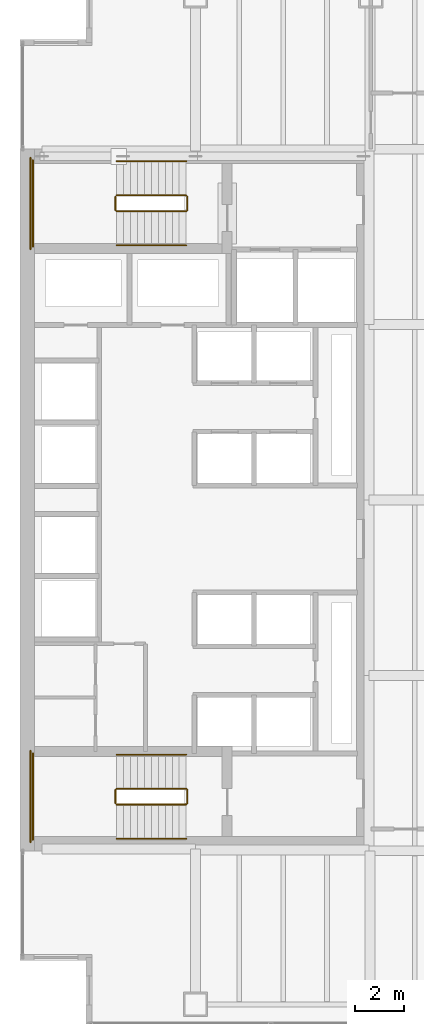
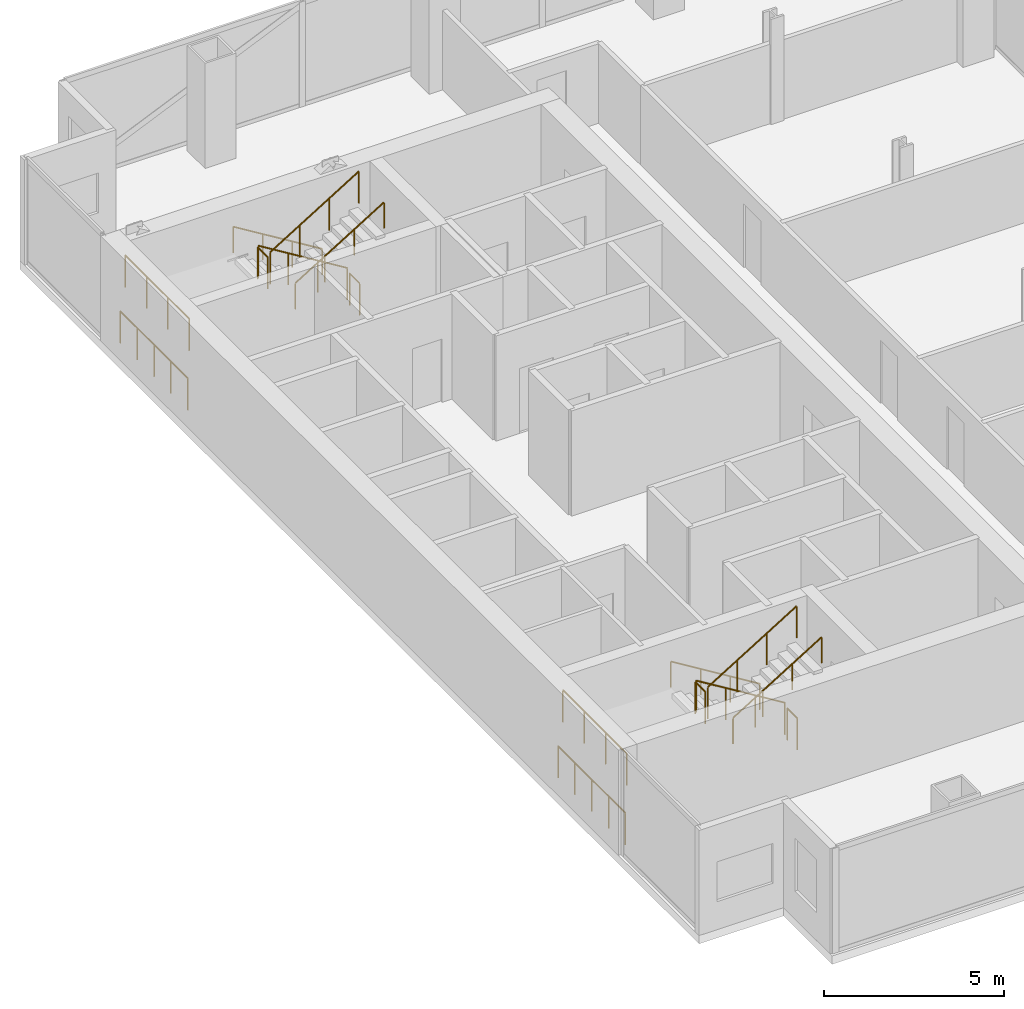
# One storey, part 23 of 23: 16 railings.
"""IFC4 building model written with IfcOpenShell, lengths in metres."""

from ifc_helpers import new_model, si_unit, direction, frame, origin, origin_2d, place, context, subcontext, project, spatial, circle, extrude, material, type_object, element, save


model = new_model("IFC4")

# Units and contexts
model_context = context("Model", 3, precision=1e-05, world=origin(), true_north=direction((0.0, 1.0)))
body_context = subcontext(model_context, "Body", "Model", "MODEL_VIEW")
ifc_project = project(units=[si_unit("LENGTHUNIT", "METRE"), si_unit("AREAUNIT", "SQUARE_METRE"), si_unit("VOLUMEUNIT", "CUBIC_METRE"), si_unit("PLANEANGLEUNIT", "RADIAN"), si_unit("MASSUNIT", "GRAM", prefix="KILO")], contexts=[model_context])

# Site, building, storey
site_placement = place(None, origin())
site = spatial("IfcSite", under=ifc_project, at=site_placement, CompositionType="ELEMENT")
building_placement = place(site_placement, origin())
building = spatial("IfcBuilding", under=site, at=building_placement, Name="Cobrela Telecom Tower", CompositionType="ELEMENT")
storey_placement = place(building_placement, frame((0.0, 0.0, 65.800048828125)))
storey = spatial("IfcBuildingStorey", under=building, at=storey_placement, Name="L16", CompositionType="ELEMENT", Elevation=65.800048828125)

# Railings
ifc_material = material(Name="Steel ASTM A36", Category="steel")
railing_type_1 = type_object("IfcRailingType", Name="RAIL-GUARD-1100", PredefinedType="GUARDRAIL", material=ifc_material)
railing_1_placement = place(storey_placement, frame((6.820068359375, 34.10009765625, 0.175048828125)))
element("IfcRailing", 1, at=railing_1_placement, inside=storey, type_object=railing_type_1, Name="L16 ST1 stair guard 1", PredefinedType="GUARDRAIL", context=body_context, shape_type="SweptSolid", body=[
    extrude(circle(Radius=0.02392578125, at=origin_2d()), frame((0.0, 0.0, 1.076171875), z_axis=(-0.852179220489, 0.0, 0.52325001306), x_axis=(0.0, -1.0, 0.0)), (0.0, 0.0, 1.0), 3.344482421875),
    extrude(circle(Radius=0.02099609375, at=origin_2d()), origin(), (0.0, 0.0, 1.0), 1.052001953125),
    extrude(circle(Radius=0.02099609375, at=origin_2d()), frame((-0.949951171875, 0.0, 0.583251953125)), (0.0, 0.0, 1.0), 1.052001953125),
    extrude(circle(Radius=0.02099609375, at=origin_2d()), frame((-1.900146484375, 0.0, 1.166748046875)), (0.0, 0.0, 1.0), 1.052001953125),
    extrude(circle(Radius=0.02099609375, at=origin_2d()), frame((-2.85009765625, 0.0, 1.75)), (0.0, 0.0, 1.0), 1.052001953125),
])
railing_2_placement = place(storey_placement, frame((3.919921875, 34.050048828125, 1.925048828125)))
element("IfcRailing", 2, at=railing_2_placement, inside=storey, type_object=railing_type_1, Name="L16 ST1 stair guard 2", PredefinedType="GUARDRAIL", context=body_context, shape_type="SweptSolid", body=[
    extrude(circle(Radius=0.02392578125, at=origin_2d()), frame((0.0, 0.0, 1.076171875), z_axis=(0.0, -1.0, 0.0), x_axis=(1.0, 0.0, 0.0)), (0.0, 0.0, 1.0), 0.550048828125),
    extrude(circle(Radius=0.02099609375, at=origin_2d()), origin(), (0.0, 0.0, 1.0), 1.052001953125),
    extrude(circle(Radius=0.02099609375, at=origin_2d()), frame((0.0, -0.550048828125, 0.0)), (0.0, 0.0, 1.0), 1.052001953125),
])
railing_3_placement = place(storey_placement, frame((0.530029296875, 35.550048828125, 1.925048828125)))
element("IfcRailing", 3, at=railing_3_placement, inside=storey, type_object=railing_type_1, Name="L16 ST1 stair guard 3", PredefinedType="GUARDRAIL", context=body_context, shape_type="SweptSolid", body=[
    extrude(circle(Radius=0.02392578125, at=origin_2d()), frame((0.0, 0.0, 1.076171875), z_axis=(0.0, -1.0, 0.0), x_axis=(1.0, 0.0, 0.0)), (0.0, 0.0, 1.0), 3.550048828125),
    extrude(circle(Radius=0.02099609375, at=origin_2d()), origin(), (0.0, 0.0, 1.0), 1.052001953125),
    extrude(circle(Radius=0.02099609375, at=origin_2d()), frame((0.0, -1.183349609375, 0.0)), (0.0, 0.0, 1.0), 1.052001953125),
    extrude(circle(Radius=0.02099609375, at=origin_2d()), frame((0.0, -2.36669921875, 0.0)), (0.0, 0.0, 1.0), 1.052001953125),
    extrude(circle(Radius=0.02099609375, at=origin_2d()), frame((0.0, -3.550048828125, 0.0)), (0.0, 0.0, 1.0), 1.052001953125),
])
railing_4_placement = place(storey_placement, frame((3.969970703125, 33.449951171875, 2.099853515625)))
element("IfcRailing", 4, at=railing_4_placement, inside=storey, type_object=railing_type_1, Name="L16 ST1 stair guard 4", PredefinedType="GUARDRAIL", context=body_context, shape_type="SweptSolid", body=[
    extrude(circle(Radius=0.02392578125, at=origin_2d()), frame((0.0, 0.0, 1.076171875), z_axis=(0.852179220489, 0.0, 0.52325001306), x_axis=(0.0, 1.0, 0.0)), (0.0, 0.0, 1.0), 3.344482421875),
    extrude(circle(Radius=0.02099609375, at=origin_2d()), origin(), (0.0, 0.0, 1.0), 1.052001953125),
    extrude(circle(Radius=0.02099609375, at=origin_2d()), frame((0.949951171875, 0.0, 0.583251953125)), (0.0, 0.0, 1.0), 1.052001953125),
    extrude(circle(Radius=0.02099609375, at=origin_2d()), frame((1.900146484375, 0.0, 1.166748046875)), (0.0, 0.0, 1.0), 1.052001953125),
    extrude(circle(Radius=0.02099609375, at=origin_2d()), frame((2.85009765625, 0.0, 1.75)), (0.0, 0.0, 1.0), 1.052001953125),
])
railing_5_placement = place(storey_placement, frame((6.8701171875, 34.050048828125, 0.0)))
element("IfcRailing", 5, at=railing_5_placement, inside=storey, type_object=railing_type_1, Name="L16 ST1 stair guard 5", PredefinedType="GUARDRAIL", context=body_context, shape_type="SweptSolid", body=[
    extrude(circle(Radius=0.02392578125, at=origin_2d()), frame((0.0, 0.0, 1.076171875), z_axis=(0.0, -1.0, 0.0), x_axis=(1.0, 0.0, 0.0)), (0.0, 0.0, 1.0), 0.550048828125),
    extrude(circle(Radius=0.02099609375, at=origin_2d()), origin(), (0.0, 0.0, 1.0), 1.052001953125),
    extrude(circle(Radius=0.02099609375, at=origin_2d()), frame((0.0, -0.550048828125, 0.0)), (0.0, 0.0, 1.0), 1.052001953125),
])
railing_6_placement = place(storey_placement, frame((0.429931640625, 35.64990234375, 0.0)))
element("IfcRailing", 6, at=railing_6_placement, inside=storey, type_object=railing_type_1, Name="L16 ST1 stair guard 6", PredefinedType="GUARDRAIL", context=body_context, shape_type="SweptSolid", body=[
    extrude(circle(Radius=0.02392578125, at=origin_2d()), frame((0.0, 0.0, 1.076171875), z_axis=(0.0, -1.0, 0.0), x_axis=(1.0, 0.0, 0.0)), (0.0, 0.0, 1.0), 3.75),
    extrude(circle(Radius=0.02099609375, at=origin_2d()), origin(), (0.0, 0.0, 1.0), 1.052001953125),
    extrude(circle(Radius=0.02099609375, at=origin_2d()), frame((0.0, -0.9375, 0.0)), (0.0, 0.0, 1.0), 1.052001953125),
    extrude(circle(Radius=0.02099609375, at=origin_2d()), frame((0.0, -1.875, 0.0)), (0.0, 0.0, 1.0), 1.052001953125),
    extrude(circle(Radius=0.02099609375, at=origin_2d()), frame((0.0, -2.8125, 0.0)), (0.0, 0.0, 1.0), 1.052001953125),
    extrude(circle(Radius=0.02099609375, at=origin_2d()), frame((0.0, -3.75, 0.0)), (0.0, 0.0, 1.0), 1.052001953125),
])
railing_7_placement = place(storey_placement, frame((6.820068359375, 9.75, 0.175048828125)))
element("IfcRailing", 7, at=railing_7_placement, inside=storey, type_object=railing_type_1, Name="L16 ST2 stair guard 1", PredefinedType="GUARDRAIL", context=body_context, shape_type="SweptSolid", body=[
    extrude(circle(Radius=0.02392578125, at=origin_2d()), frame((0.0, 0.0, 1.076171875), z_axis=(-0.852179220489, 0.0, 0.52325001306), x_axis=(0.0, -1.0, 0.0)), (0.0, 0.0, 1.0), 3.344482421875),
    extrude(circle(Radius=0.02099609375, at=origin_2d()), origin(), (0.0, 0.0, 1.0), 1.052001953125),
    extrude(circle(Radius=0.02099609375, at=origin_2d()), frame((-0.949951171875, 0.0, 0.583251953125)), (0.0, 0.0, 1.0), 1.052001953125),
    extrude(circle(Radius=0.02099609375, at=origin_2d()), frame((-1.900146484375, 0.0, 1.166748046875)), (0.0, 0.0, 1.0), 1.052001953125),
    extrude(circle(Radius=0.02099609375, at=origin_2d()), frame((-2.85009765625, 0.0, 1.75)), (0.0, 0.0, 1.0), 1.052001953125),
])
railing_8_placement = place(storey_placement, frame((3.919921875, 9.699951171875, 1.925048828125)))
element("IfcRailing", 8, at=railing_8_placement, inside=storey, type_object=railing_type_1, Name="L16 ST2 stair guard 2", PredefinedType="GUARDRAIL", context=body_context, shape_type="SweptSolid", body=[
    extrude(circle(Radius=0.02392578125, at=origin_2d()), frame((0.0, 0.0, 1.076171875), z_axis=(0.0, -1.0, 0.0), x_axis=(1.0, 0.0, 0.0)), (0.0, 0.0, 1.0), 0.550048828125),
    extrude(circle(Radius=0.02099609375, at=origin_2d()), origin(), (0.0, 0.0, 1.0), 1.052001953125),
    extrude(circle(Radius=0.02099609375, at=origin_2d()), frame((0.0, -0.550048828125, 0.0)), (0.0, 0.0, 1.0), 1.052001953125),
])
railing_9_placement = place(storey_placement, frame((0.530029296875, 11.199951171875, 1.925048828125)))
element("IfcRailing", 9, at=railing_9_placement, inside=storey, type_object=railing_type_1, Name="L16 ST2 stair guard 3", PredefinedType="GUARDRAIL", context=body_context, shape_type="SweptSolid", body=[
    extrude(circle(Radius=0.02392578125, at=origin_2d()), frame((0.0, 0.0, 1.076171875), z_axis=(0.0, -1.0, 0.0), x_axis=(1.0, 0.0, 0.0)), (0.0, 0.0, 1.0), 3.550048828125),
    extrude(circle(Radius=0.02099609375, at=origin_2d()), origin(), (0.0, 0.0, 1.0), 1.052001953125),
    extrude(circle(Radius=0.02099609375, at=origin_2d()), frame((0.0, -1.183349609375, 0.0)), (0.0, 0.0, 1.0), 1.052001953125),
    extrude(circle(Radius=0.02099609375, at=origin_2d()), frame((0.0, -2.36669921875, 0.0)), (0.0, 0.0, 1.0), 1.052001953125),
    extrude(circle(Radius=0.02099609375, at=origin_2d()), frame((0.0, -3.550048828125, 0.0)), (0.0, 0.0, 1.0), 1.052001953125),
])
railing_10_placement = place(storey_placement, frame((3.969970703125, 9.10009765625, 2.099853515625)))
element("IfcRailing", 10, at=railing_10_placement, inside=storey, type_object=railing_type_1, Name="L16 ST2 stair guard 4", PredefinedType="GUARDRAIL", context=body_context, shape_type="SweptSolid", body=[
    extrude(circle(Radius=0.02392578125, at=origin_2d()), frame((0.0, 0.0, 1.076171875), z_axis=(0.852179220489, 0.0, 0.52325001306), x_axis=(0.0, 1.0, 0.0)), (0.0, 0.0, 1.0), 3.344482421875),
    extrude(circle(Radius=0.02099609375, at=origin_2d()), origin(), (0.0, 0.0, 1.0), 1.052001953125),
    extrude(circle(Radius=0.02099609375, at=origin_2d()), frame((0.949951171875, 0.0, 0.583251953125)), (0.0, 0.0, 1.0), 1.052001953125),
    extrude(circle(Radius=0.02099609375, at=origin_2d()), frame((1.900146484375, 0.0, 1.166748046875)), (0.0, 0.0, 1.0), 1.052001953125),
    extrude(circle(Radius=0.02099609375, at=origin_2d()), frame((2.85009765625, 0.0, 1.75)), (0.0, 0.0, 1.0), 1.052001953125),
])
railing_11_placement = place(storey_placement, frame((6.8701171875, 9.699951171875, 0.0)))
element("IfcRailing", 11, at=railing_11_placement, inside=storey, type_object=railing_type_1, Name="L16 ST2 stair guard 5", PredefinedType="GUARDRAIL", context=body_context, shape_type="SweptSolid", body=[
    extrude(circle(Radius=0.02392578125, at=origin_2d()), frame((0.0, 0.0, 1.076171875), z_axis=(0.0, -1.0, 0.0), x_axis=(1.0, 0.0, 0.0)), (0.0, 0.0, 1.0), 0.550048828125),
    extrude(circle(Radius=0.02099609375, at=origin_2d()), origin(), (0.0, 0.0, 1.0), 1.052001953125),
    extrude(circle(Radius=0.02099609375, at=origin_2d()), frame((0.0, -0.550048828125, 0.0)), (0.0, 0.0, 1.0), 1.052001953125),
])
railing_12_placement = place(storey_placement, frame((0.429931640625, 11.300048828125, 0.0)))
element("IfcRailing", 12, at=railing_12_placement, inside=storey, type_object=railing_type_1, Name="L16 ST2 stair guard 6", PredefinedType="GUARDRAIL", context=body_context, shape_type="SweptSolid", body=[
    extrude(circle(Radius=0.02392578125, at=origin_2d()), frame((0.0, 0.0, 1.076171875), z_axis=(0.0, -1.0, 0.0), x_axis=(1.0, 0.0, 0.0)), (0.0, 0.0, 1.0), 3.75),
    extrude(circle(Radius=0.02099609375, at=origin_2d()), origin(), (0.0, 0.0, 1.0), 1.052001953125),
    extrude(circle(Radius=0.02099609375, at=origin_2d()), frame((0.0, -0.9375, 0.0)), (0.0, 0.0, 1.0), 1.052001953125),
    extrude(circle(Radius=0.02099609375, at=origin_2d()), frame((0.0, -1.875, 0.0)), (0.0, 0.0, 1.0), 1.052001953125),
    extrude(circle(Radius=0.02099609375, at=origin_2d()), frame((0.0, -2.8125, 0.0)), (0.0, 0.0, 1.0), 1.052001953125),
    extrude(circle(Radius=0.02099609375, at=origin_2d()), frame((0.0, -3.75, 0.0)), (0.0, 0.0, 1.0), 1.052001953125),
])
railing_type_2 = type_object("IfcRailingType", Name="RAIL-HAND-920", PredefinedType="HANDRAIL", material=ifc_material)
railing_13_placement = place(storey_placement, frame((6.820068359375, 35.5, 0.175048828125)))
element("IfcRailing", 13, at=railing_13_placement, inside=storey, type_object=railing_type_2, Name="L16 ST1 stair handrail 1", PredefinedType="HANDRAIL", context=body_context, shape_type="SweptSolid", body=[
    extrude(circle(Radius=0.02392578125, at=origin_2d()), frame((0.0, 0.0, 0.8759765625), z_axis=(-0.852179220489, 0.0, 0.52325001306), x_axis=(0.0, -1.0, 0.0)), (0.0, 0.0, 1.0), 3.344482421875),
    extrude(circle(Radius=0.02099609375, at=origin_2d()), origin(), (0.0, 0.0, 1.0), 0.851806640625),
    extrude(circle(Radius=0.02099609375, at=origin_2d()), frame((-0.949951171875, 0.0, 0.583251953125)), (0.0, 0.0, 1.0), 0.851806640625),
    extrude(circle(Radius=0.02099609375, at=origin_2d()), frame((-1.900146484375, 0.0, 1.166748046875)), (0.0, 0.0, 1.0), 0.851806640625),
    extrude(circle(Radius=0.02099609375, at=origin_2d()), frame((-2.85009765625, 0.0, 1.75)), (0.0, 0.0, 1.0), 0.851806640625),
])
railing_14_placement = place(storey_placement, frame((3.969970703125, 32.050048828125, 2.099853515625)))
element("IfcRailing", 14, at=railing_14_placement, inside=storey, type_object=railing_type_2, Name="L16 ST1 stair handrail 2", PredefinedType="HANDRAIL", context=body_context, shape_type="SweptSolid", body=[
    extrude(circle(Radius=0.02392578125, at=origin_2d()), frame((0.0, 0.0, 0.8759765625), z_axis=(0.852179220489, 0.0, 0.52325001306), x_axis=(0.0, 1.0, 0.0)), (0.0, 0.0, 1.0), 3.344482421875),
    extrude(circle(Radius=0.02099609375, at=origin_2d()), origin(), (0.0, 0.0, 1.0), 0.851806640625),
    extrude(circle(Radius=0.02099609375, at=origin_2d()), frame((0.949951171875, 0.0, 0.583251953125)), (0.0, 0.0, 1.0), 0.851806640625),
    extrude(circle(Radius=0.02099609375, at=origin_2d()), frame((1.900146484375, 0.0, 1.166748046875)), (0.0, 0.0, 1.0), 0.851806640625),
    extrude(circle(Radius=0.02099609375, at=origin_2d()), frame((2.85009765625, 0.0, 1.75)), (0.0, 0.0, 1.0), 0.851806640625),
])
railing_15_placement = place(storey_placement, frame((6.820068359375, 11.14990234375, 0.175048828125)))
element("IfcRailing", 15, at=railing_15_placement, inside=storey, type_object=railing_type_2, Name="L16 ST2 stair handrail 1", PredefinedType="HANDRAIL", context=body_context, shape_type="SweptSolid", body=[
    extrude(circle(Radius=0.02392578125, at=origin_2d()), frame((0.0, 0.0, 0.8759765625), z_axis=(-0.852179220489, 0.0, 0.52325001306), x_axis=(0.0, -1.0, 0.0)), (0.0, 0.0, 1.0), 3.344482421875),
    extrude(circle(Radius=0.02099609375, at=origin_2d()), origin(), (0.0, 0.0, 1.0), 0.851806640625),
    extrude(circle(Radius=0.02099609375, at=origin_2d()), frame((-0.949951171875, 0.0, 0.583251953125)), (0.0, 0.0, 1.0), 0.851806640625),
    extrude(circle(Radius=0.02099609375, at=origin_2d()), frame((-1.900146484375, 0.0, 1.166748046875)), (0.0, 0.0, 1.0), 0.851806640625),
    extrude(circle(Radius=0.02099609375, at=origin_2d()), frame((-2.85009765625, 0.0, 1.75)), (0.0, 0.0, 1.0), 0.851806640625),
])
railing_16_placement = place(storey_placement, frame((3.969970703125, 7.699951171875, 2.099853515625)))
element("IfcRailing", 16, at=railing_16_placement, inside=storey, type_object=railing_type_2, Name="L16 ST2 stair handrail 2", PredefinedType="HANDRAIL", context=body_context, shape_type="SweptSolid", body=[
    extrude(circle(Radius=0.02392578125, at=origin_2d()), frame((0.0, 0.0, 0.8759765625), z_axis=(0.852179220489, 0.0, 0.52325001306), x_axis=(0.0, 1.0, 0.0)), (0.0, 0.0, 1.0), 3.344482421875),
    extrude(circle(Radius=0.02099609375, at=origin_2d()), origin(), (0.0, 0.0, 1.0), 0.851806640625),
    extrude(circle(Radius=0.02099609375, at=origin_2d()), frame((0.949951171875, 0.0, 0.583251953125)), (0.0, 0.0, 1.0), 0.851806640625),
    extrude(circle(Radius=0.02099609375, at=origin_2d()), frame((1.900146484375, 0.0, 1.166748046875)), (0.0, 0.0, 1.0), 0.851806640625),
    extrude(circle(Radius=0.02099609375, at=origin_2d()), frame((2.85009765625, 0.0, 1.75)), (0.0, 0.0, 1.0), 0.851806640625),
])

save(model, "model.ifc")
